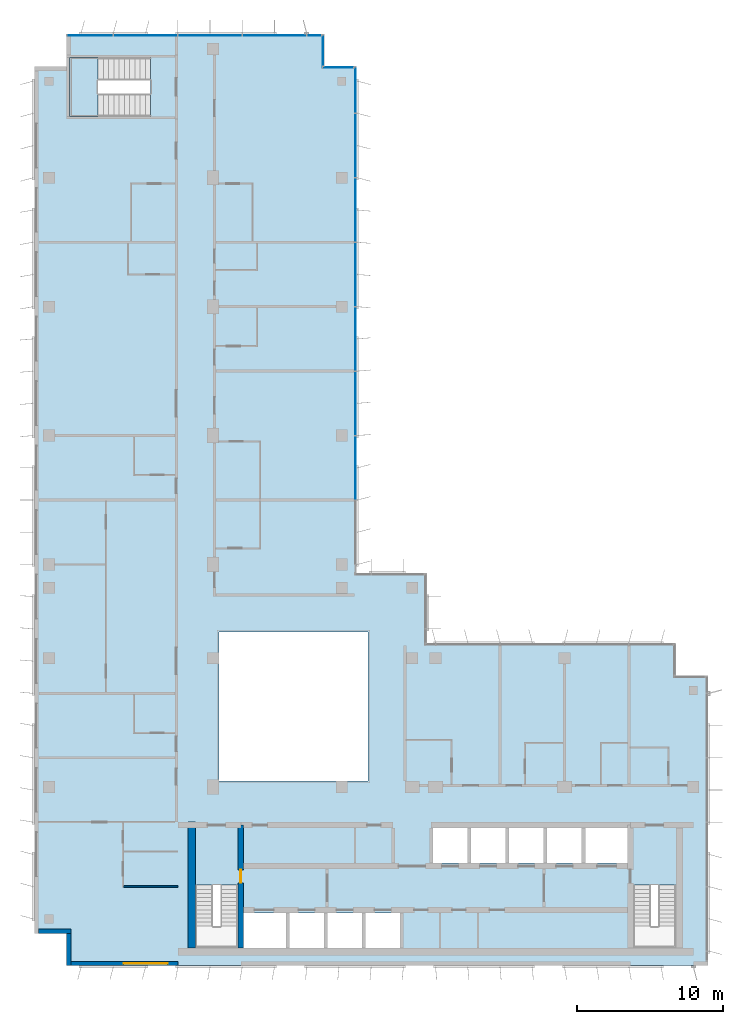
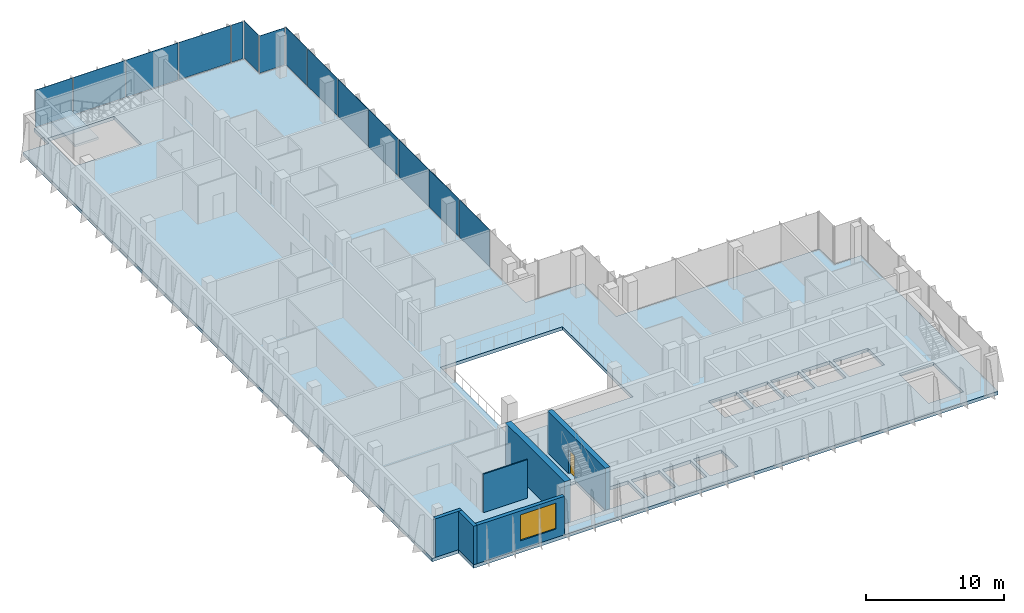
# One storey, part 8 of 15: 14 plates, 6 walls, 2 slabs, 1 door, 1 window, 2 openings, 5 elements without a shape of their own.
"""IFC4 building model written with IfcOpenShell, lengths in metres."""

from ifc_helpers import new_model, si_unit, direction, frame, frame_2d, origin, origin_2d, place, context, subcontext, project, spatial, polyline, rectangle, outline, extrude, source, transform, mapped, material, layer, layer_set, type_object, element, fill, aggregate, save


model = new_model("IFC4")

# Units and contexts
model_context = context("Model", 3, precision=1e-05, world=origin(), true_north=direction((0.0, 1.0)))
body_context = subcontext(model_context, "Body", "Model", "MODEL_VIEW")
ifc_project = project(units=[si_unit("LENGTHUNIT", "METRE"), si_unit("AREAUNIT", "SQUARE_METRE"), si_unit("VOLUMEUNIT", "CUBIC_METRE"), si_unit("PLANEANGLEUNIT", "RADIAN"), si_unit("MASSUNIT", "GRAM", prefix="KILO")], contexts=[model_context])

# Site, building, storey
site_placement = place(None, origin())
site = spatial("IfcSite", under=ifc_project, at=site_placement, CompositionType="ELEMENT")
building_placement = place(site_placement, origin())
building = spatial("IfcBuilding", under=site, at=building_placement, Name="Kemantara Hotel Tower", CompositionType="ELEMENT")
storey_placement = place(building_placement, frame((0.0, 0.0, 279.60009765625)))
storey = spatial("IfcBuildingStorey", under=building, at=storey_placement, Name="L70", CompositionType="ELEMENT", Elevation=279.60009765625)

# Slab
ifc_material_1 = material(Name="Concrete fc 40 MPa", Category="concrete")
ifc_layer_1 = layer(ifc_material_1, 0.300048828125)
ifc_layer_set_1 = layer_set([ifc_layer_1], Name="Concrete fc 40 MPa")
slab_type_1 = type_object("IfcSlabType", Name="POST-TENSIONED FLAT PLATE 300", PredefinedType="FLOOR", material=ifc_layer_set_1)
slab_1_placement = place(storey_placement, frame((0.0, 0.0, -0.300048828125)))
element("IfcSlab", 1, at=slab_1_placement, inside=storey, type_object=slab_type_1, Name="FLOOR SLAB L70", PredefinedType="FLOOR", context=body_context, shape_type="SweptSolid", body=[
    extrude(outline(polyline([(22.0, 26.800048828125), (22.0, 61.39990234375), (19.800048828125, 61.39990234375), (19.800048828125, 63.60009765625), (2.199951171875, 63.60009765625), (2.199951171875, 61.39990234375), (0.0, 61.39990234375), (0.0, 2.199951171875), (2.199951171875, 2.199951171875), (2.199951171875, 0.0), (46.0, 0.0), (46.0, 19.800048828125), (43.800048828125, 19.800048828125), (43.800048828125, 22.0), (26.800048828125, 22.0), (26.800048828125, 26.800048828125), (22.0, 26.800048828125)]), holes=[polyline([(17.175048828125, 3.60009765625), (17.175048828125, 1.199951171875), (14.22509765625, 1.199951171875), (14.22509765625, 3.60009765625), (17.175048828125, 3.60009765625)]), polyline([(19.77490234375, 1.199951171875), (17.425048828125, 1.199951171875), (17.425048828125, 3.60009765625), (19.77490234375, 3.60009765625), (19.77490234375, 1.199951171875)]), polyline([(22.375, 1.199951171875), (20.02490234375, 1.199951171875), (20.02490234375, 3.60009765625), (22.375, 3.60009765625), (22.375, 1.199951171875)]), polyline([(24.97509765625, 3.60009765625), (24.97509765625, 1.199951171875), (22.625, 1.199951171875), (22.625, 3.60009765625), (24.97509765625, 3.60009765625)]), polyline([(11.0, 1.199951171875), (11.0, 5.49951171875), (13.89990234375, 5.49951171875), (13.89990234375, 1.199951171875), (11.0, 1.199951171875)]), polyline([(22.800048828125, 12.60009765625), (12.60009765625, 12.60009765625), (12.60009765625, 22.800048828125), (22.800048828125, 22.800048828125), (22.800048828125, 12.60009765625)]), polyline([(2.39990234375, 58.0), (2.39990234375, 62.0), (7.949462890625, 62.0), (7.949462890625, 58.0), (2.39990234375, 58.0)]), polyline([(40.89990234375, 1.199951171875), (40.89990234375, 5.49951171875), (43.800048828125, 5.49951171875), (43.800048828125, 1.199951171875), (40.89990234375, 1.199951171875)]), polyline([(29.574951171875, 7.0), (27.22509765625, 7.0), (27.22509765625, 9.39990234375), (29.574951171875, 9.39990234375), (29.574951171875, 7.0)]), polyline([(32.175048828125, 7.0), (29.824951171875, 7.0), (29.824951171875, 9.39990234375), (32.175048828125, 9.39990234375), (32.175048828125, 7.0)]), polyline([(34.77490234375, 7.0), (32.425048828125, 7.0), (32.425048828125, 9.39990234375), (34.77490234375, 9.39990234375), (34.77490234375, 7.0)]), polyline([(37.375, 7.0), (35.02490234375, 7.0), (35.02490234375, 9.39990234375), (37.375, 9.39990234375), (37.375, 7.0)]), polyline([(40.574951171875, 7.0), (37.625, 7.0), (37.625, 9.39990234375), (40.574951171875, 9.39990234375), (40.574951171875, 7.0)])]), origin(), (0.0, 0.0, 1.0), 0.300048828125),
])

# Stair, slab
stair_type = type_object("IfcStairType", Name="Stair 1550 wide 22 risers of 168 x 360 mm", PredefinedType="HALF_TURN_STAIR", material=ifc_material_1)
stair_placement = place(storey_placement, origin())
stair = element("IfcStair", 2, at=stair_placement, inside=storey, type_object=stair_type, Name="L70 Exit stair ST4", PredefinedType="HALF_TURN_STAIR")
ifc_layer_2 = layer(ifc_material_1, 0.199951171875)
ifc_layer_set_2 = layer_set([ifc_layer_2], Name="Concrete fc 40 MPa")
slab_type_2 = type_object("IfcSlabType", Name="Stair landing 200 mm", PredefinedType="LANDING", material=ifc_layer_set_2)
slab_2_placement = place(storey_placement, frame((0.0, 0.0, 1.64990234375)))
slab_2 = element("IfcSlab", 3, at=slab_2_placement, type_object=slab_type_2, Name="ST4 landing 1", PredefinedType="LANDING", context=body_context, shape_type="SweptSolid", body=[
    extrude(outline(polyline([(4.35009765625, 62.0), (2.39990234375, 62.0), (2.39990234375, 58.0), (4.35009765625, 58.0), (4.35009765625, 62.0)])), origin(), (0.0, 0.0, 1.0), 0.199951171875),
])
aggregate(stair, [slab_2])

# Curtain wall, plates
ifc_material_2 = material(Name="Low-E tinted double insulated glass 36 mm", Category="glass")
curtain_wall_type = type_object("IfcCurtainWallType", Name="TOWER CURTAIN WALL, FRONT FACES", PredefinedType="USERDEFINED", material=ifc_material_2)
curtain_wall_1_placement = place(storey_placement, origin())
curtain_wall_1 = element("IfcCurtainWall", 4, at=curtain_wall_1_placement, inside=storey, type_object=curtain_wall_type, Name="CW4 L70 T4-R02-1", ObjectType="TOWER CURTAIN WALL, FRONT FACES", PredefinedType="USERDEFINED")
ifc_layer_3 = layer(ifc_material_2, 0.035888671875)
ifc_layer_set_3 = layer_set([ifc_layer_3], Name="Low-E tinted double insulated glass 36 mm")
plate_type = type_object("IfcPlateType", Name="TOWER CURTAIN WALL, FRONT FACES PANEL", PredefinedType="CURTAIN_PANEL", material=ifc_layer_set_3)
shared_shape_1 = source(origin(), body_context, "Body", "SweptSolid", [
    extrude(rectangle(XDim=4.340087890625, YDim=0.035888671875, at=origin_2d()), origin(), (0.0, 0.0, 1.0), 3.280029296875),
])
plate_1_placement = place(storey_placement, frame((16.39990234375, 63.52490234375, 0.1201171875), z_axis=(0.0, 0.0, 1.0), x_axis=(-1.0, 0.0, 0.0)))
plate_1 = element("IfcPlate", 5, at=plate_1_placement, type_object=plate_type, Name="CW4 glass panel T4-R02-1.2", PredefinedType="CURTAIN_PANEL", context=body_context, shape_type="MappedRepresentation", body=[
    mapped(shared_shape_1, transform((0.0, 0.0, 0.0))),
])
plate_2_placement = place(storey_placement, frame((12.0, 63.52490234375, 0.1201171875), z_axis=(0.0, 0.0, 1.0), x_axis=(-1.0, 0.0, 0.0)))
plate_2 = element("IfcPlate", 6, at=plate_2_placement, type_object=plate_type, Name="CW4 glass panel T4-R02-1.3", PredefinedType="CURTAIN_PANEL", context=body_context, shape_type="MappedRepresentation", body=[
    mapped(shared_shape_1, transform((0.0, 0.0, 0.0))),
])
plate_3_placement = place(storey_placement, frame((7.60009765625, 63.52490234375, 0.1201171875), z_axis=(0.0, 0.0, 1.0), x_axis=(-1.0, 0.0, 0.0)))
plate_3 = element("IfcPlate", 7, at=plate_3_placement, type_object=plate_type, Name="CW4 glass panel T4-R02-1.4", PredefinedType="CURTAIN_PANEL", context=body_context, shape_type="MappedRepresentation", body=[
    mapped(shared_shape_1, transform((0.0, 0.0, 0.0))),
])

curtain_wall_2_placement = place(storey_placement, origin())
curtain_wall_2 = element("IfcCurtainWall", 8, at=curtain_wall_2_placement, inside=storey, type_object=curtain_wall_type, Name="CW4 L70 T4-R15-1", ObjectType="TOWER CURTAIN WALL, FRONT FACES", PredefinedType="USERDEFINED")
plate_4_placement = place(storey_placement, frame((21.925048828125, 34.0, 0.1201171875), z_axis=(0.0, 0.0, 1.0), x_axis=(0.0, 1.0, 0.0)))
plate_4 = element("IfcPlate", 9, at=plate_4_placement, type_object=plate_type, Name="CW4 glass panel T4-R15-1.3", PredefinedType="CURTAIN_PANEL", context=body_context, shape_type="MappedRepresentation", body=[
    mapped(shared_shape_1, transform((0.0, 0.0, 0.0))),
])
plate_5_placement = place(storey_placement, frame((21.925048828125, 38.39990234375, 0.1201171875), z_axis=(0.0, 0.0, 1.0), x_axis=(0.0, 1.0, 0.0)))
plate_5 = element("IfcPlate", 10, at=plate_5_placement, type_object=plate_type, Name="CW4 glass panel T4-R15-1.4", PredefinedType="CURTAIN_PANEL", context=body_context, shape_type="MappedRepresentation", body=[
    mapped(shared_shape_1, transform((0.0, 0.0, 0.0))),
])
plate_6_placement = place(storey_placement, frame((21.925048828125, 42.800048828125, 0.1201171875), z_axis=(0.0, 0.0, 1.0), x_axis=(0.0, 1.0, 0.0)))
plate_6 = element("IfcPlate", 11, at=plate_6_placement, type_object=plate_type, Name="CW4 glass panel T4-R15-1.5", PredefinedType="CURTAIN_PANEL", context=body_context, shape_type="MappedRepresentation", body=[
    mapped(shared_shape_1, transform((0.0, 0.0, 0.0))),
])
plate_7_placement = place(storey_placement, frame((21.925048828125, 47.199951171875, 0.1201171875), z_axis=(0.0, 0.0, 1.0), x_axis=(0.0, 1.0, 0.0)))
plate_7 = element("IfcPlate", 12, at=plate_7_placement, type_object=plate_type, Name="CW4 glass panel T4-R15-1.6", PredefinedType="CURTAIN_PANEL", context=body_context, shape_type="MappedRepresentation", body=[
    mapped(shared_shape_1, transform((0.0, 0.0, 0.0))),
])
plate_8_placement = place(storey_placement, frame((21.925048828125, 51.60009765625, 0.1201171875), z_axis=(0.0, 0.0, 1.0), x_axis=(0.0, 1.0, 0.0)))
plate_8 = element("IfcPlate", 13, at=plate_8_placement, type_object=plate_type, Name="CW4 glass panel T4-R15-1.7", PredefinedType="CURTAIN_PANEL", context=body_context, shape_type="MappedRepresentation", body=[
    mapped(shared_shape_1, transform((0.0, 0.0, 0.0))),
])
plate_9_placement = place(storey_placement, frame((21.925048828125, 56.0, 0.1201171875), z_axis=(0.0, 0.0, 1.0), x_axis=(0.0, 1.0, 0.0)))
plate_9 = element("IfcPlate", 14, at=plate_9_placement, type_object=plate_type, Name="CW4 glass panel T4-R15-1.8", PredefinedType="CURTAIN_PANEL", context=body_context, shape_type="MappedRepresentation", body=[
    mapped(shared_shape_1, transform((0.0, 0.0, 0.0))),
])

# Plate
shared_shape_2 = source(origin(), body_context, "Body", "SweptSolid", [
    extrude(rectangle(XDim=3.110107421875, YDim=0.035888671875, at=origin_2d()), origin(), (0.0, 0.0, 1.0), 3.280029296875),
])
plate_10_placement = place(storey_placement, frame((3.81494140625, 63.52490234375, 0.1201171875), z_axis=(0.0, 0.0, 1.0), x_axis=(-1.0, 0.0, 0.0)))
plate_10 = element("IfcPlate", 15, at=plate_10_placement, type_object=plate_type, Name="CW4 glass panel T4-R02-1.5", PredefinedType="CURTAIN_PANEL", context=body_context, shape_type="MappedRepresentation", body=[
    mapped(shared_shape_2, transform((0.0, 0.0, 0.0))),
])

plate_11_placement = place(storey_placement, frame((21.925048828125, 59.784912109375, 0.1201171875), z_axis=(0.0, 0.0, 1.0), x_axis=(0.0, 1.0, 0.0)))
plate_11 = element("IfcPlate", 16, at=plate_11_placement, type_object=plate_type, Name="CW4 glass panel T4-R15-1.9", PredefinedType="CURTAIN_PANEL", context=body_context, shape_type="MappedRepresentation", body=[
    mapped(shared_shape_2, transform((0.0, 0.0, 0.0))),
])

aggregate(curtain_wall_2, [plate_4, plate_5, plate_6, plate_7, plate_8, plate_9, plate_11])

# Curtain wall, plate
curtain_wall_3_placement = place(storey_placement, origin())
curtain_wall_3 = element("IfcCurtainWall", 17, at=curtain_wall_3_placement, inside=storey, type_object=curtain_wall_type, Name="CW4 L70 T4-R00-1", ObjectType="TOWER CURTAIN WALL, FRONT FACES", PredefinedType="USERDEFINED")
shared_shape_3 = source(origin(), body_context, "Body", "SweptSolid", [
    extrude(rectangle(XDim=2.080078125, YDim=0.035888671875, at=origin_2d()), origin(), (0.0, 0.0, 1.0), 3.280029296875),
])
plate_12_placement = place(storey_placement, frame((20.75, 61.324951171875, 0.1201171875), z_axis=(0.0, 0.0, 1.0), x_axis=(-1.0, 0.0, 0.0)))
plate_12 = element("IfcPlate", 18, at=plate_12_placement, type_object=plate_type, Name="CW4 glass panel T4-R00-1.1", PredefinedType="CURTAIN_PANEL", context=body_context, shape_type="MappedRepresentation", body=[
    mapped(shared_shape_3, transform((0.0, 0.0, 0.0))),
])
aggregate(curtain_wall_3, [plate_12])

curtain_wall_4_placement = place(storey_placement, origin())
curtain_wall_4 = element("IfcCurtainWall", 19, at=curtain_wall_4_placement, inside=storey, type_object=curtain_wall_type, Name="CW4 L70 T4-R01-1", ObjectType="TOWER CURTAIN WALL, FRONT FACES", PredefinedType="USERDEFINED")
plate_13_placement = place(storey_placement, frame((19.72509765625, 62.5, 0.1201171875), z_axis=(0.0, 0.0, 1.0), x_axis=(0.0, 1.0, 0.0)))
plate_13 = element("IfcPlate", 20, at=plate_13_placement, type_object=plate_type, Name="CW4 glass panel T4-R01-1.1", PredefinedType="CURTAIN_PANEL", context=body_context, shape_type="MappedRepresentation", body=[
    mapped(shared_shape_3, transform((0.0, 0.0, 0.0))),
])
aggregate(curtain_wall_4, [plate_13])

# Plate
shared_shape_4 = source(origin(), body_context, "Body", "SweptSolid", [
    extrude(rectangle(XDim=0.9599609375, YDim=0.035888671875, at=origin_2d()), origin(), (0.0, 0.0, 1.0), 3.280029296875),
])
plate_14_placement = place(storey_placement, frame((19.110107421875, 63.52490234375, 0.1201171875), z_axis=(0.0, 0.0, 1.0), x_axis=(-1.0, 0.0, 0.0)))
plate_14 = element("IfcPlate", 21, at=plate_14_placement, type_object=plate_type, Name="CW4 glass panel T4-R02-1.1", PredefinedType="CURTAIN_PANEL", context=body_context, shape_type="MappedRepresentation", body=[
    mapped(shared_shape_4, transform((0.0, 0.0, 0.0))),
])

aggregate(curtain_wall_1, [plate_14, plate_1, plate_2, plate_3, plate_10])

# Walls
ifc_material_3 = material(Name="Bronze anodised aluminium cladding on insulated steel stud wall", Category="steel")
ifc_layer_4 = layer(ifc_material_3, 0.300048828125)
ifc_layer_set_4 = layer_set([ifc_layer_4], Name="Bronze anodised aluminium cladding on insulated steel stud wall")
wall_type_1 = type_object("IfcWallType", Name="BRONZE METAL-CLAD EXTERNAL WALL 300", PredefinedType="STANDARD", material=ifc_layer_set_4)
for number, where, z_axis, x_axis, name in (
    (22, (0.300048828125, 2.35009765625, 0.0), (0.0, 0.0, 1.0), (1.0, 0.0, 0.0), "EXTERNAL WALL L70 T4-R06"),
    (23, (2.35009765625, 2.199951171875, 0.0), (0.0, 0.0, 1.0), (0.0, -1.0, 0.0), "EXTERNAL WALL L70 T4-R07"),
):
    element("IfcWall", number, at=place(storey_placement, frame(where, z_axis=z_axis, x_axis=x_axis)), inside=storey, type_object=wall_type_1, Name=name, PredefinedType="STANDARD", context=body_context, shape_type="SweptSolid", body=[
        extrude(rectangle(XDim=2.199951171875, YDim=0.300048828125, at=frame_2d((1.10009765625, 0.0))), origin(), (0.0, 0.0, 1.0), 3.39990234375),
    ])

# Wall, opening, window
wall_1_placement = place(storey_placement, frame((2.5, 0.14990234375, 0.0), z_axis=(0.0, 0.0, 1.0), x_axis=(1.0, 0.0, 0.0)))
wall_1 = element("IfcWall", 24, at=wall_1_placement, inside=storey, type_object=wall_type_1, Name="EXTERNAL WALL L70 T4-R08", PredefinedType="STANDARD", context=body_context, shape_type="SweptSolid", body=[
    extrude(rectangle(XDim=7.300048828125, YDim=0.300048828125, at=frame_2d((3.64990234375, 0.0))), origin(), (0.0, 0.0, 1.0), 3.39990234375),
])
opening_1_placement = place(wall_1_placement, frame((3.60009765625, 0.0, 0.75)))
opening_1 = element("IfcOpeningElement", 25, at=opening_1_placement, cuts=wall_1, Name="Opening W1", PredefinedType="OPENING", context=body_context, shape_type="SweptSolid", body=[
    extrude(rectangle(XDim=3.0, YDim=2.300048828125, at=frame_2d((1.5, 1.14990234375))), frame((0.0, 0.159912109375, 0.0), z_axis=(0.0, -1.0, 0.0), x_axis=(1.0, 0.0, 0.0)), (0.0, 0.0, 1.0), 0.320068359375),
])
ifc_material_4 = material(Name="Low-E tinted double insulated glass in bronze anodised aluminium frame", Category="aluminium")
window_type = type_object("IfcWindowType", Name="CHICAGO WINDOW, TRIPLE PANEL 3000x2300", PartitioningType="TRIPLE_PANEL_VERTICAL", PredefinedType="WINDOW", material=ifc_material_4)
window_placement = place(opening_1_placement, origin())
window = element("IfcWindow", 26, at=window_placement, inside=storey, type_object=window_type, Name="CHICAGO WINDOW L70 T4-R08-54", OverallHeight=2.300048828125, OverallWidth=3.0, PartitioningType="SINGLE_PANEL", PredefinedType="WINDOW", context=body_context, shape_type="SweptSolid", body=[
    extrude(rectangle(XDim=3.0, YDim=2.300048828125, at=frame_2d((1.5, 1.14990234375))), frame((0.0, 0.030029296875, 0.0), z_axis=(0.0, -1.0, 0.0), x_axis=(1.0, 0.0, 0.0)), (0.0, 0.0, 1.0), 0.06005859375),
])
fill(opening_1, window)

# Wall, opening, door
ifc_material_5 = material(Name="Concrete fc 50 MPa", Category="concrete")
ifc_layer_5 = layer(ifc_material_5, 0.39990234375)
ifc_layer_set_5 = layer_set([ifc_layer_5], Name="Concrete fc 50 MPa")
wall_type_2 = type_object("IfcWallType", Name="CORE WALL 400 FC50", PredefinedType="SHEAR", material=ifc_layer_set_5)
wall_2_placement = place(storey_placement, frame((14.10009765625, 1.199951171875, 0.0), z_axis=(0.0, 0.0, 1.0), x_axis=(0.0, 1.0, 0.0)))
wall_2 = element("IfcWall", 27, at=wall_2_placement, inside=storey, type_object=wall_type_2, Name="CORE WALL CW-ST1E", PredefinedType="SHEAR", context=body_context, shape_type="SweptSolid", body=[
    extrude(rectangle(XDim=8.400146484375, YDim=0.39990234375, at=frame_2d((4.2001953125, 0.0))), origin(), (0.0, 0.0, 1.0), 3.699951171875),
])
opening_2_placement = place(wall_2_placement, frame((4.449951171875, 0.0, 0.0)))
opening_2 = element("IfcOpeningElement", 28, at=opening_2_placement, cuts=wall_2, Name="Opening C40-ST1-F", PredefinedType="OPENING", context=body_context, shape_type="SweptSolid", body=[
    extrude(rectangle(XDim=0.89990234375, YDim=2.10009765625, at=frame_2d((0.449951171875, 1.050048828125))), frame((0.0, 0.2099609375, 0.0), z_axis=(0.0, -1.0, 0.0), x_axis=(1.0, 0.0, 0.0)), (0.0, 0.0, 1.0), 0.419921875),
])
ifc_material_6 = material(Name="Steel fire door", Category="steel")
door_type = type_object("IfcDoorType", Name="Fire door FD90 900 x 2100", OperationType="NOTDEFINED", PredefinedType="DOOR", material=ifc_material_6)
door_placement = place(opening_2_placement, origin())
door = element("IfcDoor", 29, at=door_placement, inside=storey, type_object=door_type, Name="Stair ST1 door to firefighting lobby", OperationType="SINGLE_SWING_RIGHT", OverallHeight=2.10009765625, OverallWidth=0.89990234375, PredefinedType="DOOR", context=body_context, shape_type="SweptSolid", body=[
    extrude(rectangle(XDim=0.89990234375, YDim=2.10009765625, at=frame_2d((0.449951171875, 1.050048828125))), frame((0.0, 0.02490234375, 0.0), z_axis=(0.0, -1.0, 0.0), x_axis=(1.0, 0.0, 0.0)), (0.0, 0.0, 1.0), 0.050048828125),
])
fill(opening_2, door)

# Walls
ifc_layer_6 = layer(ifc_material_5, 0.5)
ifc_layer_set_6 = layer_set([ifc_layer_6], Name="Concrete fc 50 MPa")
wall_type_3 = type_object("IfcWallType", Name="CORE WALL 500 FC50", PredefinedType="SHEAR", material=ifc_layer_set_6)
wall_3_placement = place(storey_placement, frame((10.75, 1.199951171875, 0.0), z_axis=(0.0, 0.0, 1.0), x_axis=(0.0, 1.0, 0.0)))
element("IfcWall", 30, at=wall_3_placement, inside=storey, type_object=wall_type_3, Name="CORE WALL CW-W", PredefinedType="SHEAR", context=body_context, shape_type="SweptSolid", body=[
    extrude(rectangle(XDim=8.60009765625, YDim=0.5, at=frame_2d((4.300048828125, 0.0))), origin(), (0.0, 0.0, 1.0), 3.699951171875),
])
ifc_material_7 = material(Name="Gypsum board partition on steel studs, 100 mm", Category="steel")
ifc_layer_7 = layer(ifc_material_7, 0.10009765625)
ifc_layer_set_7 = layer_set([ifc_layer_7], Name="Gypsum board partition on steel studs, 100 mm")
wall_type_4 = type_object("IfcWallType", Name="ROOM PARTITION 100", PredefinedType="PARTITIONING", material=ifc_layer_set_7)
wall_4_placement = place(storey_placement, frame((6.10009765625, 5.39990234375, 0.0), z_axis=(0.0, 0.0, 1.0), x_axis=(1.0, 0.0, 0.0)))
element("IfcWall", 31, at=wall_4_placement, inside=storey, type_object=wall_type_4, Name="ROOM PARTITION 100 035", PredefinedType="PARTITIONING", context=body_context, shape_type="SweptSolid", body=[
    extrude(rectangle(XDim=3.69970703125, YDim=0.10009765625, at=frame_2d((1.849853515625, 0.0))), origin(), (0.0, 0.0, 1.0), 3.39990234375),
])

save(model, "model.ifc")
